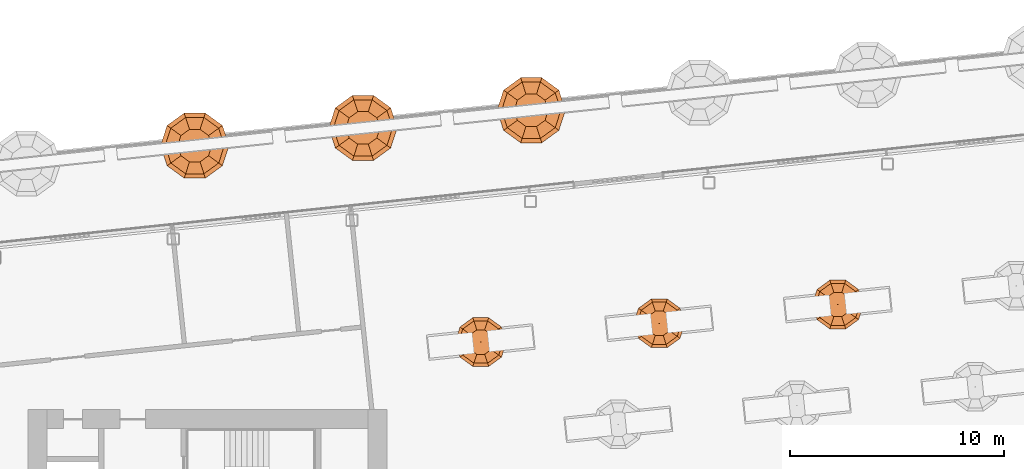
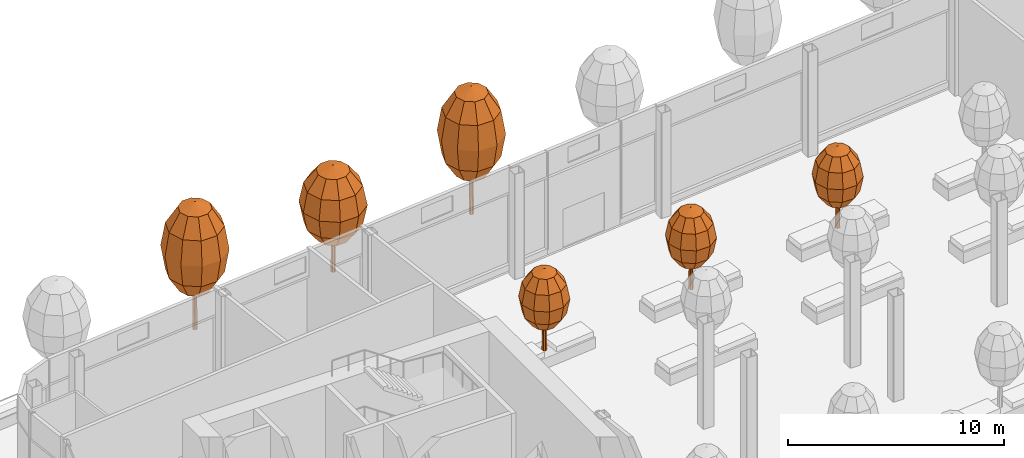
# One storey, part 40 of 42: 6 geographic elements.
"""IFC4 building model written with IfcOpenShell, lengths in metres."""

from ifc_helpers import new_model, si_unit, direction, frame, origin, place, context, subcontext, project, spatial, triangles, material, type_object, element, save


model = new_model("IFC4")

# Units and contexts
model_context = context("Model", 3, precision=1e-05, world=origin(), true_north=direction((0.0, 1.0)))
body_context = subcontext(model_context, "Body", "Model", "MODEL_VIEW")
ifc_project = project(units=[si_unit("LENGTHUNIT", "METRE"), si_unit("AREAUNIT", "SQUARE_METRE"), si_unit("VOLUMEUNIT", "CUBIC_METRE"), si_unit("PLANEANGLEUNIT", "RADIAN"), si_unit("MASSUNIT", "GRAM", prefix="KILO")], contexts=[model_context])

# Site, building, storey
site_placement = place(None, origin())
site = spatial("IfcSite", under=ifc_project, at=site_placement, CompositionType="ELEMENT")
building_placement = place(site_placement, origin())
building = spatial("IfcBuilding", under=site, at=building_placement, Name="Hakoniwa Tower and Hamabe Station Hall", CompositionType="ELEMENT")
storey_placement = place(building_placement, frame((0.0, 0.0, 232.60009765625)))
storey = spatial("IfcBuildingStorey", under=building, at=storey_placement, Name="L66", CompositionType="ELEMENT", Elevation=232.60009765625)

# Geographic elements
ifc_material_1 = material(Name="Tree foliage")
geographic_element_type_1 = type_object("IfcGeographicElementType", Name="Camellia 4.6 m", PredefinedType="USERDEFINED", material=ifc_material_1)
geographic_element_1_placement = place(storey_placement, frame((-12.414306640625, 11.552001953125, 0.599853515625)))
element("IfcGeographicElement", 1, at=geographic_element_1_placement, inside=storey, type_object=geographic_element_type_1, Name="Camellia 4-6 m", ObjectType="TREE", PredefinedType="USERDEFINED", context=body_context, shape_type="Tessellation", body=[
    triangles([(0.125, 0.0, 0.0), (0.08837890625, 0.08837890625, 0.0), (0.0, 0.125, 0.0), (-0.08837890625, 0.08837890625, 0.0), (-0.125, 0.0, 0.0), (-0.08837890625, -0.08837890625, 0.0), (0.0, -0.125, 0.0), (0.08837890625, -0.08837890625, 0.0), (0.074951171875, 0.0, 2.778564453125), (0.052978515625, 0.052978515625, 2.778564453125), (0.0, 0.074951171875, 2.778564453125), (-0.052978515625, 0.052978515625, 2.778564453125), (-0.074951171875, 0.0, 2.778564453125), (-0.052978515625, -0.052978515625, 2.778564453125), (0.0, -0.074951171875, 2.778564453125), (0.052978515625, -0.052978515625, 2.778564453125), (0.0, 0.0, 0.0), (0.0, 0.0, 2.778564453125)], [[1, 2, 10], [1, 10, 9], [17, 2, 1], [18, 9, 10], [2, 3, 11], [2, 11, 10], [17, 3, 2], [18, 10, 11], [3, 4, 12], [3, 12, 11], [17, 4, 3], [18, 11, 12], [4, 5, 13], [4, 13, 12], [17, 5, 4], [18, 12, 13], [5, 6, 14], [5, 14, 13], [17, 6, 5], [18, 13, 14], [6, 7, 15], [6, 15, 14], [17, 7, 6], [18, 14, 15], [7, 8, 16], [7, 16, 15], [17, 8, 7], [18, 15, 16], [8, 1, 9], [8, 9, 16], [17, 1, 8], [18, 16, 9]], closed=True),
    triangles([(0.0, 0.0, 1.2880859375), (0.599853515625, 0.0, 1.510009765625), (0.4853515625, 0.3525390625, 1.510009765625), (0.185302734375, 0.570556640625, 1.510009765625), (-0.185302734375, 0.570556640625, 1.510009765625), (-0.4853515625, 0.3525390625, 1.510009765625), (-0.599853515625, 0.0, 1.510009765625), (-0.4853515625, -0.3525390625, 1.510009765625), (-0.185302734375, -0.570556640625, 1.510009765625), (0.185302734375, -0.570556640625, 1.510009765625), (0.4853515625, -0.3525390625, 1.510009765625), (1.039306640625, 0.0, 2.115966796875), (0.8408203125, 0.61083984375, 2.115966796875), (0.321044921875, 0.98828125, 2.115966796875), (-0.321044921875, 0.98828125, 2.115966796875), (-0.8408203125, 0.61083984375, 2.115966796875), (-1.039306640625, 0.0, 2.115966796875), (-0.8408203125, -0.61083984375, 2.115966796875), (-0.321044921875, -0.98828125, 2.115966796875), (0.321044921875, -0.98828125, 2.115966796875), (0.8408203125, -0.61083984375, 2.115966796875), (1.199951171875, 0.0, 2.944091796875), (0.970703125, 0.705322265625, 2.944091796875), (0.370849609375, 1.14111328125, 2.944091796875), (-0.370849609375, 1.14111328125, 2.944091796875), (-0.970703125, 0.705322265625, 2.944091796875), (-1.199951171875, 0.0, 2.944091796875), (-0.970703125, -0.705322265625, 2.944091796875), (-0.370849609375, -1.14111328125, 2.944091796875), (0.370849609375, -1.14111328125, 2.944091796875), (0.970703125, -0.705322265625, 2.944091796875), (1.039306640625, 0.0, 3.77197265625), (0.8408203125, 0.61083984375, 3.77197265625), (0.321044921875, 0.98828125, 3.77197265625), (-0.321044921875, 0.98828125, 3.77197265625), (-0.8408203125, 0.61083984375, 3.77197265625), (-1.039306640625, 0.0, 3.77197265625), (-0.8408203125, -0.61083984375, 3.77197265625), (-0.321044921875, -0.98828125, 3.77197265625), (0.321044921875, -0.98828125, 3.77197265625), (0.8408203125, -0.61083984375, 3.77197265625), (0.599853515625, 0.0, 4.378173828125), (0.4853515625, 0.3525390625, 4.378173828125), (0.185302734375, 0.570556640625, 4.378173828125), (-0.185302734375, 0.570556640625, 4.378173828125), (-0.4853515625, 0.3525390625, 4.378173828125), (-0.599853515625, 0.0, 4.378173828125), (-0.4853515625, -0.3525390625, 4.378173828125), (-0.185302734375, -0.570556640625, 4.378173828125), (0.185302734375, -0.570556640625, 4.378173828125), (0.4853515625, -0.3525390625, 4.378173828125), (0.0, 0.0, 4.60009765625)], [[1, 3, 2], [1, 4, 3], [1, 5, 4], [1, 6, 5], [1, 7, 6], [1, 8, 7], [1, 9, 8], [1, 10, 9], [1, 11, 10], [1, 2, 11], [2, 3, 13], [2, 13, 12], [3, 4, 14], [3, 14, 13], [4, 5, 15], [4, 15, 14], [5, 6, 16], [5, 16, 15], [6, 7, 17], [6, 17, 16], [7, 8, 18], [7, 18, 17], [8, 9, 19], [8, 19, 18], [9, 10, 20], [9, 20, 19], [10, 11, 21], [10, 21, 20], [11, 2, 12], [11, 12, 21], [12, 13, 23], [12, 23, 22], [13, 14, 24], [13, 24, 23], [14, 15, 25], [14, 25, 24], [15, 16, 26], [15, 26, 25], [16, 17, 27], [16, 27, 26], [17, 18, 28], [17, 28, 27], [18, 19, 29], [18, 29, 28], [19, 20, 30], [19, 30, 29], [20, 21, 31], [20, 31, 30], [21, 12, 22], [21, 22, 31], [22, 23, 33], [22, 33, 32], [23, 24, 34], [23, 34, 33], [24, 25, 35], [24, 35, 34], [25, 26, 36], [25, 36, 35], [26, 27, 37], [26, 37, 36], [27, 28, 38], [27, 38, 37], [28, 29, 39], [28, 39, 38], [29, 30, 40], [29, 40, 39], [30, 31, 41], [30, 41, 40], [31, 22, 32], [31, 32, 41], [32, 33, 43], [32, 43, 42], [33, 34, 44], [33, 44, 43], [34, 35, 45], [34, 45, 44], [35, 36, 46], [35, 46, 45], [36, 37, 47], [36, 47, 46], [37, 38, 48], [37, 48, 47], [38, 39, 49], [38, 49, 48], [39, 40, 50], [39, 50, 49], [40, 41, 51], [40, 51, 50], [41, 32, 42], [41, 42, 51], [52, 42, 43], [52, 43, 44], [52, 44, 45], [52, 45, 46], [52, 46, 47], [52, 47, 48], [52, 48, 49], [52, 49, 50], [52, 50, 51], [52, 51, 42]], closed=True),
])
geographic_element_2_placement = place(storey_placement, frame((-4.060302734375, 12.429931640625, 0.599853515625)))
element("IfcGeographicElement", 2, at=geographic_element_2_placement, inside=storey, type_object=geographic_element_type_1, Name="Camellia 4-6 m", ObjectType="TREE", PredefinedType="USERDEFINED", context=body_context, shape_type="Tessellation", body=[
    triangles([(0.125, 0.0, 0.0), (0.08837890625, 0.08837890625, 0.0), (0.0, 0.125, 0.0), (-0.08837890625, 0.08837890625, 0.0), (-0.125, 0.0, 0.0), (-0.08837890625, -0.08837890625, 0.0), (0.0, -0.125, 0.0), (0.08837890625, -0.08837890625, 0.0), (0.074951171875, 0.0, 2.778564453125), (0.052978515625, 0.052978515625, 2.778564453125), (0.0, 0.074951171875, 2.778564453125), (-0.052978515625, 0.052978515625, 2.778564453125), (-0.074951171875, 0.0, 2.778564453125), (-0.052978515625, -0.052978515625, 2.778564453125), (0.0, -0.074951171875, 2.778564453125), (0.052978515625, -0.052978515625, 2.778564453125), (0.0, 0.0, 0.0), (0.0, 0.0, 2.778564453125)], [[1, 2, 10], [1, 10, 9], [17, 2, 1], [18, 9, 10], [2, 3, 11], [2, 11, 10], [17, 3, 2], [18, 10, 11], [3, 4, 12], [3, 12, 11], [17, 4, 3], [18, 11, 12], [4, 5, 13], [4, 13, 12], [17, 5, 4], [18, 12, 13], [5, 6, 14], [5, 14, 13], [17, 6, 5], [18, 13, 14], [6, 7, 15], [6, 15, 14], [17, 7, 6], [18, 14, 15], [7, 8, 16], [7, 16, 15], [17, 8, 7], [18, 15, 16], [8, 1, 9], [8, 9, 16], [17, 1, 8], [18, 16, 9]], closed=True),
    triangles([(0.0, 0.0, 1.2880859375), (0.599853515625, 0.0, 1.510009765625), (0.4853515625, 0.3525390625, 1.510009765625), (0.185302734375, 0.570556640625, 1.510009765625), (-0.185302734375, 0.570556640625, 1.510009765625), (-0.4853515625, 0.3525390625, 1.510009765625), (-0.599853515625, 0.0, 1.510009765625), (-0.4853515625, -0.3525390625, 1.510009765625), (-0.185302734375, -0.570556640625, 1.510009765625), (0.185302734375, -0.570556640625, 1.510009765625), (0.4853515625, -0.3525390625, 1.510009765625), (1.039306640625, 0.0, 2.115966796875), (0.8408203125, 0.61083984375, 2.115966796875), (0.321044921875, 0.98828125, 2.115966796875), (-0.321044921875, 0.98828125, 2.115966796875), (-0.8408203125, 0.61083984375, 2.115966796875), (-1.039306640625, 0.0, 2.115966796875), (-0.8408203125, -0.61083984375, 2.115966796875), (-0.321044921875, -0.98828125, 2.115966796875), (0.321044921875, -0.98828125, 2.115966796875), (0.8408203125, -0.61083984375, 2.115966796875), (1.199951171875, 0.0, 2.944091796875), (0.970703125, 0.705322265625, 2.944091796875), (0.370849609375, 1.14111328125, 2.944091796875), (-0.370849609375, 1.14111328125, 2.944091796875), (-0.970703125, 0.705322265625, 2.944091796875), (-1.199951171875, 0.0, 2.944091796875), (-0.970703125, -0.705322265625, 2.944091796875), (-0.370849609375, -1.14111328125, 2.944091796875), (0.370849609375, -1.14111328125, 2.944091796875), (0.970703125, -0.705322265625, 2.944091796875), (1.039306640625, 0.0, 3.77197265625), (0.8408203125, 0.61083984375, 3.77197265625), (0.321044921875, 0.98828125, 3.77197265625), (-0.321044921875, 0.98828125, 3.77197265625), (-0.8408203125, 0.61083984375, 3.77197265625), (-1.039306640625, 0.0, 3.77197265625), (-0.8408203125, -0.61083984375, 3.77197265625), (-0.321044921875, -0.98828125, 3.77197265625), (0.321044921875, -0.98828125, 3.77197265625), (0.8408203125, -0.61083984375, 3.77197265625), (0.599853515625, 0.0, 4.378173828125), (0.4853515625, 0.3525390625, 4.378173828125), (0.185302734375, 0.570556640625, 4.378173828125), (-0.185302734375, 0.570556640625, 4.378173828125), (-0.4853515625, 0.3525390625, 4.378173828125), (-0.599853515625, 0.0, 4.378173828125), (-0.4853515625, -0.3525390625, 4.378173828125), (-0.185302734375, -0.570556640625, 4.378173828125), (0.185302734375, -0.570556640625, 4.378173828125), (0.4853515625, -0.3525390625, 4.378173828125), (0.0, 0.0, 4.60009765625)], [[1, 3, 2], [1, 4, 3], [1, 5, 4], [1, 6, 5], [1, 7, 6], [1, 8, 7], [1, 9, 8], [1, 10, 9], [1, 11, 10], [1, 2, 11], [2, 3, 13], [2, 13, 12], [3, 4, 14], [3, 14, 13], [4, 5, 15], [4, 15, 14], [5, 6, 16], [5, 16, 15], [6, 7, 17], [6, 17, 16], [7, 8, 18], [7, 18, 17], [8, 9, 19], [8, 19, 18], [9, 10, 20], [9, 20, 19], [10, 11, 21], [10, 21, 20], [11, 2, 12], [11, 12, 21], [12, 13, 23], [12, 23, 22], [13, 14, 24], [13, 24, 23], [14, 15, 25], [14, 25, 24], [15, 16, 26], [15, 26, 25], [16, 17, 27], [16, 27, 26], [17, 18, 28], [17, 28, 27], [18, 19, 29], [18, 29, 28], [19, 20, 30], [19, 30, 29], [20, 21, 31], [20, 31, 30], [21, 12, 22], [21, 22, 31], [22, 23, 33], [22, 33, 32], [23, 24, 34], [23, 34, 33], [24, 25, 35], [24, 35, 34], [25, 26, 36], [25, 36, 35], [26, 27, 37], [26, 37, 36], [27, 28, 38], [27, 38, 37], [28, 29, 39], [28, 39, 38], [29, 30, 40], [29, 40, 39], [30, 31, 41], [30, 41, 40], [31, 22, 32], [31, 32, 41], [32, 33, 43], [32, 43, 42], [33, 34, 44], [33, 44, 43], [34, 35, 45], [34, 45, 44], [35, 36, 46], [35, 46, 45], [36, 37, 47], [36, 47, 46], [37, 38, 48], [37, 48, 47], [38, 39, 49], [38, 49, 48], [39, 40, 50], [39, 50, 49], [40, 41, 51], [40, 51, 50], [41, 32, 42], [41, 42, 51], [52, 42, 43], [52, 43, 44], [52, 44, 45], [52, 45, 46], [52, 46, 47], [52, 47, 48], [52, 48, 49], [52, 49, 50], [52, 50, 51], [52, 51, 42]], closed=True),
])
geographic_element_3_placement = place(storey_placement, frame((4.293701171875, 13.30810546875, 0.599853515625)))
element("IfcGeographicElement", 3, at=geographic_element_3_placement, inside=storey, type_object=geographic_element_type_1, Name="Camellia 4-6 m", ObjectType="TREE", PredefinedType="USERDEFINED", context=body_context, shape_type="Tessellation", body=[
    triangles([(0.125, 0.0, 0.0), (0.08837890625, 0.08837890625, 0.0), (0.0, 0.125, 0.0), (-0.08837890625, 0.08837890625, 0.0), (-0.125, 0.0, 0.0), (-0.08837890625, -0.08837890625, 0.0), (0.0, -0.125, 0.0), (0.08837890625, -0.08837890625, 0.0), (0.074951171875, 0.0, 2.778564453125), (0.052978515625, 0.052978515625, 2.778564453125), (0.0, 0.074951171875, 2.778564453125), (-0.052978515625, 0.052978515625, 2.778564453125), (-0.074951171875, 0.0, 2.778564453125), (-0.052978515625, -0.052978515625, 2.778564453125), (0.0, -0.074951171875, 2.778564453125), (0.052978515625, -0.052978515625, 2.778564453125), (0.0, 0.0, 0.0), (0.0, 0.0, 2.778564453125)], [[1, 2, 10], [1, 10, 9], [17, 2, 1], [18, 9, 10], [2, 3, 11], [2, 11, 10], [17, 3, 2], [18, 10, 11], [3, 4, 12], [3, 12, 11], [17, 4, 3], [18, 11, 12], [4, 5, 13], [4, 13, 12], [17, 5, 4], [18, 12, 13], [5, 6, 14], [5, 14, 13], [17, 6, 5], [18, 13, 14], [6, 7, 15], [6, 15, 14], [17, 7, 6], [18, 14, 15], [7, 8, 16], [7, 16, 15], [17, 8, 7], [18, 15, 16], [8, 1, 9], [8, 9, 16], [17, 1, 8], [18, 16, 9]], closed=True),
    triangles([(0.0, 0.0, 1.2880859375), (0.599853515625, 0.0, 1.510009765625), (0.4853515625, 0.3525390625, 1.510009765625), (0.185302734375, 0.570556640625, 1.510009765625), (-0.185302734375, 0.570556640625, 1.510009765625), (-0.4853515625, 0.3525390625, 1.510009765625), (-0.599853515625, 0.0, 1.510009765625), (-0.4853515625, -0.3525390625, 1.510009765625), (-0.185302734375, -0.570556640625, 1.510009765625), (0.185302734375, -0.570556640625, 1.510009765625), (0.4853515625, -0.3525390625, 1.510009765625), (1.039306640625, 0.0, 2.115966796875), (0.8408203125, 0.61083984375, 2.115966796875), (0.321044921875, 0.98828125, 2.115966796875), (-0.321044921875, 0.98828125, 2.115966796875), (-0.8408203125, 0.61083984375, 2.115966796875), (-1.039306640625, 0.0, 2.115966796875), (-0.8408203125, -0.61083984375, 2.115966796875), (-0.321044921875, -0.98828125, 2.115966796875), (0.321044921875, -0.98828125, 2.115966796875), (0.8408203125, -0.61083984375, 2.115966796875), (1.199951171875, 0.0, 2.944091796875), (0.970703125, 0.705322265625, 2.944091796875), (0.370849609375, 1.14111328125, 2.944091796875), (-0.370849609375, 1.14111328125, 2.944091796875), (-0.970703125, 0.705322265625, 2.944091796875), (-1.199951171875, 0.0, 2.944091796875), (-0.970703125, -0.705322265625, 2.944091796875), (-0.370849609375, -1.14111328125, 2.944091796875), (0.370849609375, -1.14111328125, 2.944091796875), (0.970703125, -0.705322265625, 2.944091796875), (1.039306640625, 0.0, 3.77197265625), (0.8408203125, 0.61083984375, 3.77197265625), (0.321044921875, 0.98828125, 3.77197265625), (-0.321044921875, 0.98828125, 3.77197265625), (-0.8408203125, 0.61083984375, 3.77197265625), (-1.039306640625, 0.0, 3.77197265625), (-0.8408203125, -0.61083984375, 3.77197265625), (-0.321044921875, -0.98828125, 3.77197265625), (0.321044921875, -0.98828125, 3.77197265625), (0.8408203125, -0.61083984375, 3.77197265625), (0.599853515625, 0.0, 4.378173828125), (0.4853515625, 0.3525390625, 4.378173828125), (0.185302734375, 0.570556640625, 4.378173828125), (-0.185302734375, 0.570556640625, 4.378173828125), (-0.4853515625, 0.3525390625, 4.378173828125), (-0.599853515625, 0.0, 4.378173828125), (-0.4853515625, -0.3525390625, 4.378173828125), (-0.185302734375, -0.570556640625, 4.378173828125), (0.185302734375, -0.570556640625, 4.378173828125), (0.4853515625, -0.3525390625, 4.378173828125), (0.0, 0.0, 4.60009765625)], [[1, 3, 2], [1, 4, 3], [1, 5, 4], [1, 6, 5], [1, 7, 6], [1, 8, 7], [1, 9, 8], [1, 10, 9], [1, 11, 10], [1, 2, 11], [2, 3, 13], [2, 13, 12], [3, 4, 14], [3, 14, 13], [4, 5, 15], [4, 15, 14], [5, 6, 16], [5, 16, 15], [6, 7, 17], [6, 17, 16], [7, 8, 18], [7, 18, 17], [8, 9, 19], [8, 19, 18], [9, 10, 20], [9, 20, 19], [10, 11, 21], [10, 21, 20], [11, 2, 12], [11, 12, 21], [12, 13, 23], [12, 23, 22], [13, 14, 24], [13, 24, 23], [14, 15, 25], [14, 25, 24], [15, 16, 26], [15, 26, 25], [16, 17, 27], [16, 27, 26], [17, 18, 28], [17, 28, 27], [18, 19, 29], [18, 29, 28], [19, 20, 30], [19, 30, 29], [20, 21, 31], [20, 31, 30], [21, 12, 22], [21, 22, 31], [22, 23, 33], [22, 33, 32], [23, 24, 34], [23, 34, 33], [24, 25, 35], [24, 35, 34], [25, 26, 36], [25, 36, 35], [26, 27, 37], [26, 37, 36], [27, 28, 38], [27, 38, 37], [28, 29, 39], [28, 39, 38], [29, 30, 40], [29, 40, 39], [30, 31, 41], [30, 41, 40], [31, 22, 32], [31, 32, 41], [32, 33, 43], [32, 43, 42], [33, 34, 44], [33, 44, 43], [34, 35, 45], [34, 45, 44], [35, 36, 46], [35, 46, 45], [36, 37, 47], [36, 47, 46], [37, 38, 48], [37, 48, 47], [38, 39, 49], [38, 49, 48], [39, 40, 50], [39, 50, 49], [40, 41, 51], [40, 51, 50], [41, 32, 42], [41, 42, 51], [52, 42, 43], [52, 43, 44], [52, 44, 45], [52, 45, 46], [52, 46, 47], [52, 47, 48], [52, 48, 49], [52, 49, 50], [52, 50, 51], [52, 51, 42]], closed=True),
])
ifc_material_2 = material(Name="Tree foliage")
geographic_element_type_2 = type_object("IfcGeographicElementType", Name="Japanese maple 7.2 m", PredefinedType="USERDEFINED", material=ifc_material_2)
geographic_element_4_placement = place(storey_placement, frame((-10.051025390625, 22.399658203125, 0.89990234375)))
element("IfcGeographicElement", 4, at=geographic_element_4_placement, inside=storey, type_object=geographic_element_type_2, Name="Japanese maple 7-2 m", ObjectType="TREE", PredefinedType="USERDEFINED", context=body_context, shape_type="Tessellation", body=[
    triangles([(0.125, 0.0, 0.0), (0.08837890625, 0.08837890625, 0.0), (0.0, 0.125, 0.0), (-0.08837890625, 0.08837890625, 0.0), (-0.125, 0.0, 0.0), (-0.08837890625, -0.08837890625, 0.0), (0.0, -0.125, 0.0), (0.08837890625, -0.08837890625, 0.0), (0.074951171875, 0.0, 4.348876953125), (0.052978515625, 0.052978515625, 4.348876953125), (0.0, 0.074951171875, 4.348876953125), (-0.052978515625, 0.052978515625, 4.348876953125), (-0.074951171875, 0.0, 4.348876953125), (-0.052978515625, -0.052978515625, 4.348876953125), (0.0, -0.074951171875, 4.348876953125), (0.052978515625, -0.052978515625, 4.348876953125), (0.0, 0.0, 0.0), (0.0, 0.0, 4.348876953125)], [[1, 2, 10], [1, 10, 9], [17, 2, 1], [18, 9, 10], [2, 3, 11], [2, 11, 10], [17, 3, 2], [18, 10, 11], [3, 4, 12], [3, 12, 11], [17, 4, 3], [18, 11, 12], [4, 5, 13], [4, 13, 12], [17, 5, 4], [18, 12, 13], [5, 6, 14], [5, 14, 13], [17, 6, 5], [18, 13, 14], [6, 7, 15], [6, 15, 14], [17, 7, 6], [18, 14, 15], [7, 8, 16], [7, 16, 15], [17, 8, 7], [18, 15, 16], [8, 1, 9], [8, 9, 16], [17, 1, 8], [18, 16, 9]], closed=True),
    triangles([(0.0, 0.0, 2.015869140625), (0.800048828125, 0.0, 2.36328125), (0.647216796875, 0.47021484375, 2.36328125), (0.247314453125, 0.7607421875, 2.36328125), (-0.247314453125, 0.7607421875, 2.36328125), (-0.647216796875, 0.47021484375, 2.36328125), (-0.800048828125, 0.0, 2.36328125), (-0.647216796875, -0.47021484375, 2.36328125), (-0.247314453125, -0.7607421875, 2.36328125), (0.247314453125, -0.7607421875, 2.36328125), (0.647216796875, -0.47021484375, 2.36328125), (1.385498046875, 0.0, 3.31201171875), (1.12109375, 0.814453125, 3.31201171875), (0.42822265625, 1.31787109375, 3.31201171875), (-0.42822265625, 1.31787109375, 3.31201171875), (-1.12109375, 0.814453125, 3.31201171875), (-1.385498046875, 0.0, 3.31201171875), (-1.12109375, -0.814453125, 3.31201171875), (-0.42822265625, -1.31787109375, 3.31201171875), (0.42822265625, -1.31787109375, 3.31201171875), (1.12109375, -0.814453125, 3.31201171875), (1.60009765625, 0.0, 4.60791015625), (1.29443359375, 0.9404296875, 4.60791015625), (0.494384765625, 1.521728515625, 4.60791015625), (-0.494384765625, 1.521728515625, 4.60791015625), (-1.29443359375, 0.9404296875, 4.60791015625), (-1.60009765625, 0.0, 4.60791015625), (-1.29443359375, -0.9404296875, 4.60791015625), (-0.494384765625, -1.521728515625, 4.60791015625), (0.494384765625, -1.521728515625, 4.60791015625), (1.29443359375, -0.9404296875, 4.60791015625), (1.385498046875, 0.0, 5.904052734375), (1.12109375, 0.814453125, 5.904052734375), (0.42822265625, 1.31787109375, 5.904052734375), (-0.42822265625, 1.31787109375, 5.904052734375), (-1.12109375, 0.814453125, 5.904052734375), (-1.385498046875, 0.0, 5.904052734375), (-1.12109375, -0.814453125, 5.904052734375), (-0.42822265625, -1.31787109375, 5.904052734375), (0.42822265625, -1.31787109375, 5.904052734375), (1.12109375, -0.814453125, 5.904052734375), (0.800048828125, 0.0, 6.852783203125), (0.647216796875, 0.47021484375, 6.852783203125), (0.247314453125, 0.7607421875, 6.852783203125), (-0.247314453125, 0.7607421875, 6.852783203125), (-0.647216796875, 0.47021484375, 6.852783203125), (-0.800048828125, 0.0, 6.852783203125), (-0.647216796875, -0.47021484375, 6.852783203125), (-0.247314453125, -0.7607421875, 6.852783203125), (0.247314453125, -0.7607421875, 6.852783203125), (0.647216796875, -0.47021484375, 6.852783203125), (0.0, 0.0, 7.199951171875)], [[1, 3, 2], [1, 4, 3], [1, 5, 4], [1, 6, 5], [1, 7, 6], [1, 8, 7], [1, 9, 8], [1, 10, 9], [1, 11, 10], [1, 2, 11], [2, 3, 13], [2, 13, 12], [3, 4, 14], [3, 14, 13], [4, 5, 15], [4, 15, 14], [5, 6, 16], [5, 16, 15], [6, 7, 17], [6, 17, 16], [7, 8, 18], [7, 18, 17], [8, 9, 19], [8, 19, 18], [9, 10, 20], [9, 20, 19], [10, 11, 21], [10, 21, 20], [11, 2, 12], [11, 12, 21], [12, 13, 23], [12, 23, 22], [13, 14, 24], [13, 24, 23], [14, 15, 25], [14, 25, 24], [15, 16, 26], [15, 26, 25], [16, 17, 27], [16, 27, 26], [17, 18, 28], [17, 28, 27], [18, 19, 29], [18, 29, 28], [19, 20, 30], [19, 30, 29], [20, 21, 31], [20, 31, 30], [21, 12, 22], [21, 22, 31], [22, 23, 33], [22, 33, 32], [23, 24, 34], [23, 34, 33], [24, 25, 35], [24, 35, 34], [25, 26, 36], [25, 36, 35], [26, 27, 37], [26, 37, 36], [27, 28, 38], [27, 38, 37], [28, 29, 39], [28, 39, 38], [29, 30, 40], [29, 40, 39], [30, 31, 41], [30, 41, 40], [31, 22, 32], [31, 32, 41], [32, 33, 43], [32, 43, 42], [33, 34, 44], [33, 44, 43], [34, 35, 45], [34, 45, 44], [35, 36, 46], [35, 46, 45], [36, 37, 47], [36, 47, 46], [37, 38, 48], [37, 48, 47], [38, 39, 49], [38, 49, 48], [39, 40, 50], [39, 50, 49], [40, 41, 51], [40, 51, 50], [41, 32, 42], [41, 42, 51], [52, 42, 43], [52, 43, 44], [52, 44, 45], [52, 45, 46], [52, 46, 47], [52, 47, 48], [52, 48, 49], [52, 49, 50], [52, 50, 51], [52, 51, 42]], closed=True),
])
geographic_element_5_placement = place(storey_placement, frame((-25.796142578125, 20.744873046875, 0.89990234375)))
element("IfcGeographicElement", 5, at=geographic_element_5_placement, inside=storey, type_object=geographic_element_type_2, Name="Japanese maple 7-2 m", ObjectType="TREE", PredefinedType="USERDEFINED", context=body_context, shape_type="Tessellation", body=[
    triangles([(0.125, 0.0, 0.0), (0.08837890625, 0.08837890625, 0.0), (0.0, 0.125, 0.0), (-0.08837890625, 0.08837890625, 0.0), (-0.125, 0.0, 0.0), (-0.08837890625, -0.08837890625, 0.0), (0.0, -0.125, 0.0), (0.08837890625, -0.08837890625, 0.0), (0.074951171875, 0.0, 4.348876953125), (0.052978515625, 0.052978515625, 4.348876953125), (0.0, 0.074951171875, 4.348876953125), (-0.052978515625, 0.052978515625, 4.348876953125), (-0.074951171875, 0.0, 4.348876953125), (-0.052978515625, -0.052978515625, 4.348876953125), (0.0, -0.074951171875, 4.348876953125), (0.052978515625, -0.052978515625, 4.348876953125), (0.0, 0.0, 0.0), (0.0, 0.0, 4.348876953125)], [[1, 2, 10], [1, 10, 9], [17, 2, 1], [18, 9, 10], [2, 3, 11], [2, 11, 10], [17, 3, 2], [18, 10, 11], [3, 4, 12], [3, 12, 11], [17, 4, 3], [18, 11, 12], [4, 5, 13], [4, 13, 12], [17, 5, 4], [18, 12, 13], [5, 6, 14], [5, 14, 13], [17, 6, 5], [18, 13, 14], [6, 7, 15], [6, 15, 14], [17, 7, 6], [18, 14, 15], [7, 8, 16], [7, 16, 15], [17, 8, 7], [18, 15, 16], [8, 1, 9], [8, 9, 16], [17, 1, 8], [18, 16, 9]], closed=True),
    triangles([(0.0, 0.0, 2.015869140625), (0.800048828125, 0.0, 2.36328125), (0.647216796875, 0.47021484375, 2.36328125), (0.247314453125, 0.7607421875, 2.36328125), (-0.247314453125, 0.7607421875, 2.36328125), (-0.647216796875, 0.47021484375, 2.36328125), (-0.800048828125, 0.0, 2.36328125), (-0.647216796875, -0.47021484375, 2.36328125), (-0.247314453125, -0.7607421875, 2.36328125), (0.247314453125, -0.7607421875, 2.36328125), (0.647216796875, -0.47021484375, 2.36328125), (1.385498046875, 0.0, 3.31201171875), (1.12109375, 0.814453125, 3.31201171875), (0.42822265625, 1.31787109375, 3.31201171875), (-0.42822265625, 1.31787109375, 3.31201171875), (-1.12109375, 0.814453125, 3.31201171875), (-1.385498046875, 0.0, 3.31201171875), (-1.12109375, -0.814453125, 3.31201171875), (-0.42822265625, -1.31787109375, 3.31201171875), (0.42822265625, -1.31787109375, 3.31201171875), (1.12109375, -0.814453125, 3.31201171875), (1.60009765625, 0.0, 4.60791015625), (1.29443359375, 0.9404296875, 4.60791015625), (0.494384765625, 1.521728515625, 4.60791015625), (-0.494384765625, 1.521728515625, 4.60791015625), (-1.29443359375, 0.9404296875, 4.60791015625), (-1.60009765625, 0.0, 4.60791015625), (-1.29443359375, -0.9404296875, 4.60791015625), (-0.494384765625, -1.521728515625, 4.60791015625), (0.494384765625, -1.521728515625, 4.60791015625), (1.29443359375, -0.9404296875, 4.60791015625), (1.385498046875, 0.0, 5.904052734375), (1.12109375, 0.814453125, 5.904052734375), (0.42822265625, 1.31787109375, 5.904052734375), (-0.42822265625, 1.31787109375, 5.904052734375), (-1.12109375, 0.814453125, 5.904052734375), (-1.385498046875, 0.0, 5.904052734375), (-1.12109375, -0.814453125, 5.904052734375), (-0.42822265625, -1.31787109375, 5.904052734375), (0.42822265625, -1.31787109375, 5.904052734375), (1.12109375, -0.814453125, 5.904052734375), (0.800048828125, 0.0, 6.852783203125), (0.647216796875, 0.47021484375, 6.852783203125), (0.247314453125, 0.7607421875, 6.852783203125), (-0.247314453125, 0.7607421875, 6.852783203125), (-0.647216796875, 0.47021484375, 6.852783203125), (-0.800048828125, 0.0, 6.852783203125), (-0.647216796875, -0.47021484375, 6.852783203125), (-0.247314453125, -0.7607421875, 6.852783203125), (0.247314453125, -0.7607421875, 6.852783203125), (0.647216796875, -0.47021484375, 6.852783203125), (0.0, 0.0, 7.199951171875)], [[1, 3, 2], [1, 4, 3], [1, 5, 4], [1, 6, 5], [1, 7, 6], [1, 8, 7], [1, 9, 8], [1, 10, 9], [1, 11, 10], [1, 2, 11], [2, 3, 13], [2, 13, 12], [3, 4, 14], [3, 14, 13], [4, 5, 15], [4, 15, 14], [5, 6, 16], [5, 16, 15], [6, 7, 17], [6, 17, 16], [7, 8, 18], [7, 18, 17], [8, 9, 19], [8, 19, 18], [9, 10, 20], [9, 20, 19], [10, 11, 21], [10, 21, 20], [11, 2, 12], [11, 12, 21], [12, 13, 23], [12, 23, 22], [13, 14, 24], [13, 24, 23], [14, 15, 25], [14, 25, 24], [15, 16, 26], [15, 26, 25], [16, 17, 27], [16, 27, 26], [17, 18, 28], [17, 28, 27], [18, 19, 29], [18, 29, 28], [19, 20, 30], [19, 30, 29], [20, 21, 31], [20, 31, 30], [21, 12, 22], [21, 22, 31], [22, 23, 33], [22, 33, 32], [23, 24, 34], [23, 34, 33], [24, 25, 35], [24, 35, 34], [25, 26, 36], [25, 36, 35], [26, 27, 37], [26, 37, 36], [27, 28, 38], [27, 38, 37], [28, 29, 39], [28, 39, 38], [29, 30, 40], [29, 40, 39], [30, 31, 41], [30, 41, 40], [31, 22, 32], [31, 32, 41], [32, 33, 43], [32, 43, 42], [33, 34, 44], [33, 44, 43], [34, 35, 45], [34, 45, 44], [35, 36, 46], [35, 46, 45], [36, 37, 47], [36, 47, 46], [37, 38, 48], [37, 48, 47], [38, 39, 49], [38, 49, 48], [39, 40, 50], [39, 50, 49], [40, 41, 51], [40, 51, 50], [41, 32, 42], [41, 42, 51], [52, 42, 43], [52, 43, 44], [52, 44, 45], [52, 45, 46], [52, 46, 47], [52, 47, 48], [52, 48, 49], [52, 49, 50], [52, 50, 51], [52, 51, 42]], closed=True),
])
ifc_material_3 = material(Name="Tree foliage")
geographic_element_type_3 = type_object("IfcGeographicElementType", Name="Osmanthus 6.0 m", PredefinedType="USERDEFINED", material=ifc_material_3)
geographic_element_6_placement = place(storey_placement, frame((-17.923583984375, 21.572265625, 0.89990234375)))
element("IfcGeographicElement", 6, at=geographic_element_6_placement, inside=storey, type_object=geographic_element_type_3, Name="Osmanthus 6-0 m", ObjectType="TREE", PredefinedType="USERDEFINED", context=body_context, shape_type="Tessellation", body=[
    triangles([(0.125, 0.0, 0.0), (0.08837890625, 0.08837890625, 0.0), (0.0, 0.125, 0.0), (-0.08837890625, 0.08837890625, 0.0), (-0.125, 0.0, 0.0), (-0.08837890625, -0.08837890625, 0.0), (0.0, -0.125, 0.0), (0.08837890625, -0.08837890625, 0.0), (0.074951171875, 0.0, 3.6240234375), (0.052978515625, 0.052978515625, 3.6240234375), (0.0, 0.074951171875, 3.6240234375), (-0.052978515625, 0.052978515625, 3.6240234375), (-0.074951171875, 0.0, 3.6240234375), (-0.052978515625, -0.052978515625, 3.6240234375), (0.0, -0.074951171875, 3.6240234375), (0.052978515625, -0.052978515625, 3.6240234375), (0.0, 0.0, 0.0), (0.0, 0.0, 3.6240234375)], [[1, 2, 10], [1, 10, 9], [17, 2, 1], [18, 9, 10], [2, 3, 11], [2, 11, 10], [17, 3, 2], [18, 10, 11], [3, 4, 12], [3, 12, 11], [17, 4, 3], [18, 11, 12], [4, 5, 13], [4, 13, 12], [17, 5, 4], [18, 12, 13], [5, 6, 14], [5, 14, 13], [17, 6, 5], [18, 13, 14], [6, 7, 15], [6, 15, 14], [17, 7, 6], [18, 14, 15], [7, 8, 16], [7, 16, 15], [17, 8, 7], [18, 15, 16], [8, 1, 9], [8, 9, 16], [17, 1, 8], [18, 16, 9]], closed=True),
    triangles([(0.0, 0.0, 1.679931640625), (0.800048828125, 0.0, 1.969482421875), (0.647216796875, 0.47021484375, 1.969482421875), (0.247314453125, 0.7607421875, 1.969482421875), (-0.247314453125, 0.7607421875, 1.969482421875), (-0.647216796875, 0.47021484375, 1.969482421875), (-0.800048828125, 0.0, 1.969482421875), (-0.647216796875, -0.47021484375, 1.969482421875), (-0.247314453125, -0.7607421875, 1.969482421875), (0.247314453125, -0.7607421875, 1.969482421875), (0.647216796875, -0.47021484375, 1.969482421875), (1.385498046875, 0.0, 2.760009765625), (1.12109375, 0.814453125, 2.760009765625), (0.42822265625, 1.31787109375, 2.760009765625), (-0.42822265625, 1.31787109375, 2.760009765625), (-1.12109375, 0.814453125, 2.760009765625), (-1.385498046875, 0.0, 2.760009765625), (-1.12109375, -0.814453125, 2.760009765625), (-0.42822265625, -1.31787109375, 2.760009765625), (0.42822265625, -1.31787109375, 2.760009765625), (1.12109375, -0.814453125, 2.760009765625), (1.60009765625, 0.0, 3.840087890625), (1.29443359375, 0.9404296875, 3.840087890625), (0.494384765625, 1.521728515625, 3.840087890625), (-0.494384765625, 1.521728515625, 3.840087890625), (-1.29443359375, 0.9404296875, 3.840087890625), (-1.60009765625, 0.0, 3.840087890625), (-1.29443359375, -0.9404296875, 3.840087890625), (-0.494384765625, -1.521728515625, 3.840087890625), (0.494384765625, -1.521728515625, 3.840087890625), (1.29443359375, -0.9404296875, 3.840087890625), (1.385498046875, 0.0, 4.919921875), (1.12109375, 0.814453125, 4.919921875), (0.42822265625, 1.31787109375, 4.919921875), (-0.42822265625, 1.31787109375, 4.919921875), (-1.12109375, 0.814453125, 4.919921875), (-1.385498046875, 0.0, 4.919921875), (-1.12109375, -0.814453125, 4.919921875), (-0.42822265625, -1.31787109375, 4.919921875), (0.42822265625, -1.31787109375, 4.919921875), (1.12109375, -0.814453125, 4.919921875), (0.800048828125, 0.0, 5.710693359375), (0.647216796875, 0.47021484375, 5.710693359375), (0.247314453125, 0.7607421875, 5.710693359375), (-0.247314453125, 0.7607421875, 5.710693359375), (-0.647216796875, 0.47021484375, 5.710693359375), (-0.800048828125, 0.0, 5.710693359375), (-0.647216796875, -0.47021484375, 5.710693359375), (-0.247314453125, -0.7607421875, 5.710693359375), (0.247314453125, -0.7607421875, 5.710693359375), (0.647216796875, -0.47021484375, 5.710693359375), (0.0, 0.0, 6.0)], [[1, 3, 2], [1, 4, 3], [1, 5, 4], [1, 6, 5], [1, 7, 6], [1, 8, 7], [1, 9, 8], [1, 10, 9], [1, 11, 10], [1, 2, 11], [2, 3, 13], [2, 13, 12], [3, 4, 14], [3, 14, 13], [4, 5, 15], [4, 15, 14], [5, 6, 16], [5, 16, 15], [6, 7, 17], [6, 17, 16], [7, 8, 18], [7, 18, 17], [8, 9, 19], [8, 19, 18], [9, 10, 20], [9, 20, 19], [10, 11, 21], [10, 21, 20], [11, 2, 12], [11, 12, 21], [12, 13, 23], [12, 23, 22], [13, 14, 24], [13, 24, 23], [14, 15, 25], [14, 25, 24], [15, 16, 26], [15, 26, 25], [16, 17, 27], [16, 27, 26], [17, 18, 28], [17, 28, 27], [18, 19, 29], [18, 29, 28], [19, 20, 30], [19, 30, 29], [20, 21, 31], [20, 31, 30], [21, 12, 22], [21, 22, 31], [22, 23, 33], [22, 33, 32], [23, 24, 34], [23, 34, 33], [24, 25, 35], [24, 35, 34], [25, 26, 36], [25, 36, 35], [26, 27, 37], [26, 37, 36], [27, 28, 38], [27, 38, 37], [28, 29, 39], [28, 39, 38], [29, 30, 40], [29, 40, 39], [30, 31, 41], [30, 41, 40], [31, 22, 32], [31, 32, 41], [32, 33, 43], [32, 43, 42], [33, 34, 44], [33, 44, 43], [34, 35, 45], [34, 45, 44], [35, 36, 46], [35, 46, 45], [36, 37, 47], [36, 47, 46], [37, 38, 48], [37, 48, 47], [38, 39, 49], [38, 49, 48], [39, 40, 50], [39, 50, 49], [40, 41, 51], [40, 51, 50], [41, 32, 42], [41, 42, 51], [52, 42, 43], [52, 43, 44], [52, 44, 45], [52, 45, 46], [52, 46, 47], [52, 47, 48], [52, 48, 49], [52, 49, 50], [52, 50, 51], [52, 51, 42]], closed=True),
])

save(model, "model.ifc")
